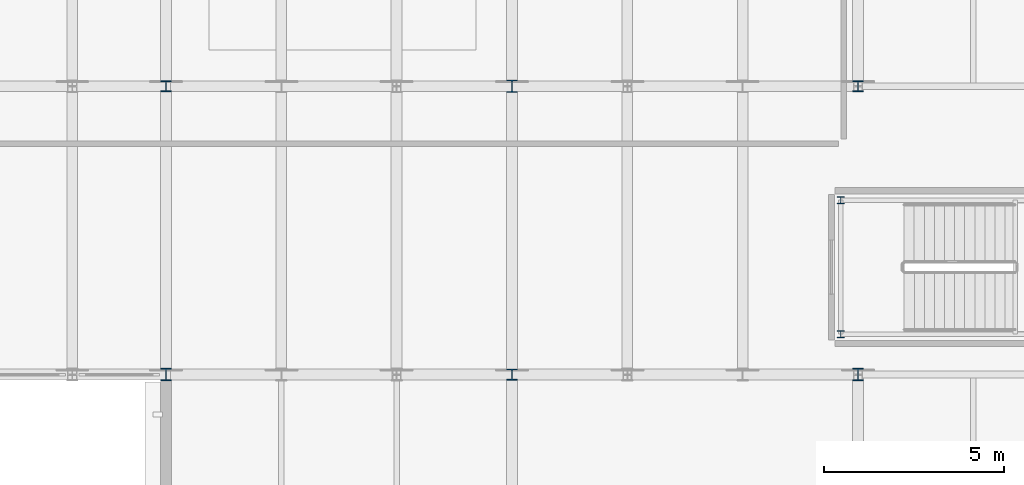
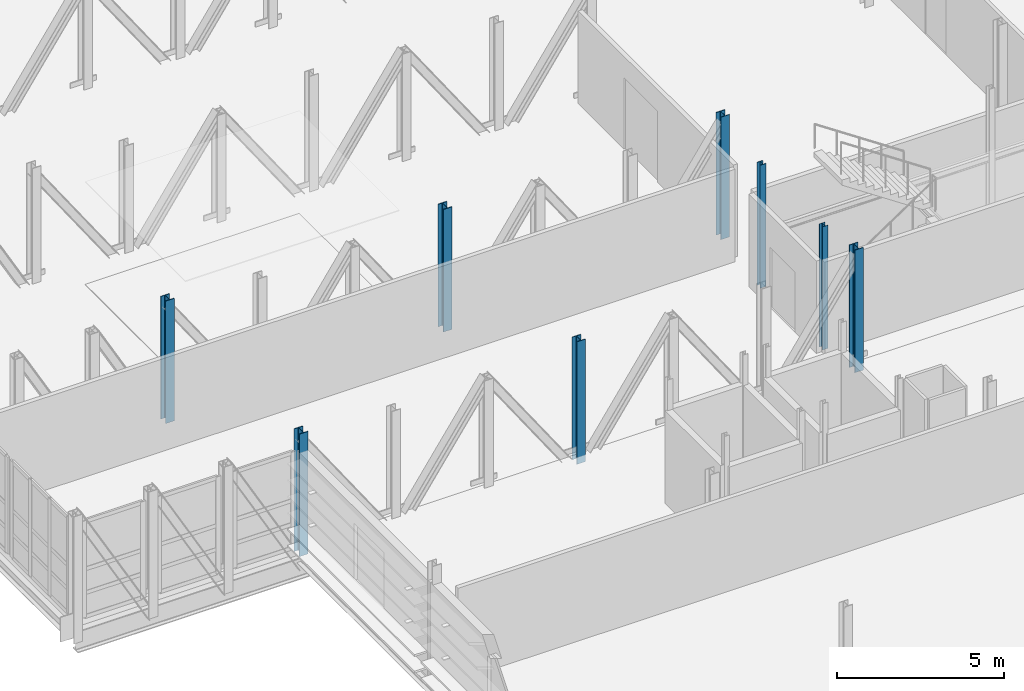
# One storey, part 4 of 73: 8 columns.
"""IFC4 building model written with IfcOpenShell, lengths in metres."""

from ifc_helpers import new_model, si_unit, direction, frame, origin, origin_2d, place, context, subcontext, project, spatial, i_section, extrude, material, material_profile, profile_set, type_object, element, save


model = new_model("IFC4")

# Units and contexts
model_context = context("Model", 3, precision=1e-05, world=origin(), true_north=direction((0.0, 1.0)))
body_context = subcontext(model_context, "Body", "Model", "MODEL_VIEW")
ifc_project = project(units=[si_unit("LENGTHUNIT", "METRE"), si_unit("AREAUNIT", "SQUARE_METRE"), si_unit("VOLUMEUNIT", "CUBIC_METRE"), si_unit("PLANEANGLEUNIT", "RADIAN"), si_unit("MASSUNIT", "GRAM", prefix="KILO")], contexts=[model_context])

# Site, building, storey
site_placement = place(None, origin())
site = spatial("IfcSite", under=ifc_project, at=site_placement, CompositionType="ELEMENT")
building_placement = place(site_placement, origin())
building = spatial("IfcBuilding", under=site, at=building_placement, Name="Alderhovde Museum", CompositionType="ELEMENT")
storey_placement = place(building_placement, frame((0.0, 0.0, 12.89990234375)))
storey = spatial("IfcBuildingStorey", under=building, at=storey_placement, Name="L03", CompositionType="ELEMENT", Elevation=12.89990234375)

# Columns
ifc_material_1 = material(Name="Steel S355J2", Category="steel")
ifc_material_profile_1 = material_profile(ifc_material_1, i_section(OverallWidth=0.199951171875, OverallDepth=0.18994140625, WebThickness=0.006591796875, FlangeThickness=0.010009765625, FilletRadius=0.01806640625, at=origin_2d()), Name="HEA 200")
ifc_profile_set_1 = profile_set([ifc_material_profile_1], Name="Steel S355J2")
column_type_1 = type_object("IfcColumnType", Name="COL-HEA200", PredefinedType="COLUMN", material=ifc_profile_set_1)
for number, where, z_axis, x_axis, name in (
    (1, (28.320068359375, 81.1201171875, 0.0), (0.0, 0.0, 1.0), (1.0, 0.0, 0.0), "L03 Stair ST2 Shaft Column 1"),
    (2, (28.320068359375, 84.840087890625, 0.0), (0.0, 0.0, 1.0), (1.0, 0.0, 0.0), "L03 Stair ST2 Shaft Column 4"),
):
    element("IfcColumn", number, at=place(storey_placement, frame(where, z_axis=z_axis, x_axis=x_axis)), inside=storey, type_object=column_type_1, Name=name, PredefinedType="COLUMN", context=body_context, shape_type="SweptSolid", body=[
        extrude(i_section(OverallWidth=0.199951171875, OverallDepth=0.18994140625, WebThickness=0.006591796875, FlangeThickness=0.010009765625, FilletRadius=0.01806640625, at=origin_2d()), origin(), (0.0, 0.0, 1.0), 4.5),
    ])
ifc_material_2 = material(Name="Steel S355J2", Category="steel")
ifc_material_profile_2 = material_profile(ifc_material_2, i_section(OverallWidth=0.300048828125, OverallDepth=0.300048828125, WebThickness=0.010986328125, FlangeThickness=0.01904296875, FilletRadius=0.027099609375, at=origin_2d()), Name="HEB 300")
ifc_profile_set_2 = profile_set([ifc_material_profile_2], Name="Steel S355J2")
column_type_2 = type_object("IfcColumnType", Name="COL-HEB300", PredefinedType="COLUMN", material=ifc_profile_set_2)
for number, where, z_axis, x_axis, name in (
    (3, (9.60009765625, 88.0, -0.260009765625), (0.0, 0.0, 1.0), (1.0, 0.0, 0.0), "L03 Column (9.6, 88.0)"),
    (4, (19.199951171875, 80.0, -0.260009765625), (0.0, 0.0, 1.0), (1.0, 0.0, 0.0), "L03 Column (19.2, 80.0)"),
    (5, (28.800048828125, 88.0, -0.260009765625), (0.0, 0.0, 1.0), (1.0, 0.0, 0.0), "L03 Column (28.8, 88.0)"),
):
    element("IfcColumn", number, at=place(storey_placement, frame(where, z_axis=z_axis, x_axis=x_axis)), inside=storey, type_object=column_type_2, Name=name, PredefinedType="COLUMN", context=body_context, shape_type="SweptSolid", body=[
        extrude(i_section(OverallWidth=0.300048828125, OverallDepth=0.300048828125, WebThickness=0.010986328125, FlangeThickness=0.01904296875, FilletRadius=0.027099609375, at=origin_2d()), origin(), (0.0, 0.0, 1.0), 4.480224609375),
    ])
ifc_material_3 = material(Name="Steel S355J2", Category="steel")
ifc_material_profile_3 = material_profile(ifc_material_3, i_section(OverallWidth=0.300048828125, OverallDepth=0.340087890625, WebThickness=0.011962890625, FlangeThickness=0.021484375, FilletRadius=0.027099609375, at=origin_2d()), Name="HEB 340")
ifc_profile_set_3 = profile_set([ifc_material_profile_3], Name="Steel S355J2")
column_type_3 = type_object("IfcColumnType", Name="COL-HEB340", PredefinedType="COLUMN", material=ifc_profile_set_3)
for number, where, z_axis, x_axis, name in (
    (6, (9.60009765625, 80.0, -0.260009765625), (0.0, 0.0, 1.0), (1.0, 0.0, 0.0), "L03 Column (9.6, 80.0)"),
    (7, (19.199951171875, 88.0, -0.260009765625), (0.0, 0.0, 1.0), (1.0, 0.0, 0.0), "L03 Column (19.2, 88.0)"),
    (8, (28.800048828125, 80.0, -0.260009765625), (0.0, 0.0, 1.0), (1.0, 0.0, 0.0), "L03 Column (28.8, 80.0)"),
):
    element("IfcColumn", number, at=place(storey_placement, frame(where, z_axis=z_axis, x_axis=x_axis)), inside=storey, type_object=column_type_3, Name=name, PredefinedType="COLUMN", context=body_context, shape_type="SweptSolid", body=[
        extrude(i_section(OverallWidth=0.300048828125, OverallDepth=0.340087890625, WebThickness=0.011962890625, FlangeThickness=0.021484375, FilletRadius=0.027099609375, at=origin_2d()), origin(), (0.0, 0.0, 1.0), 4.480224609375),
    ])

save(model, "model.ifc")
